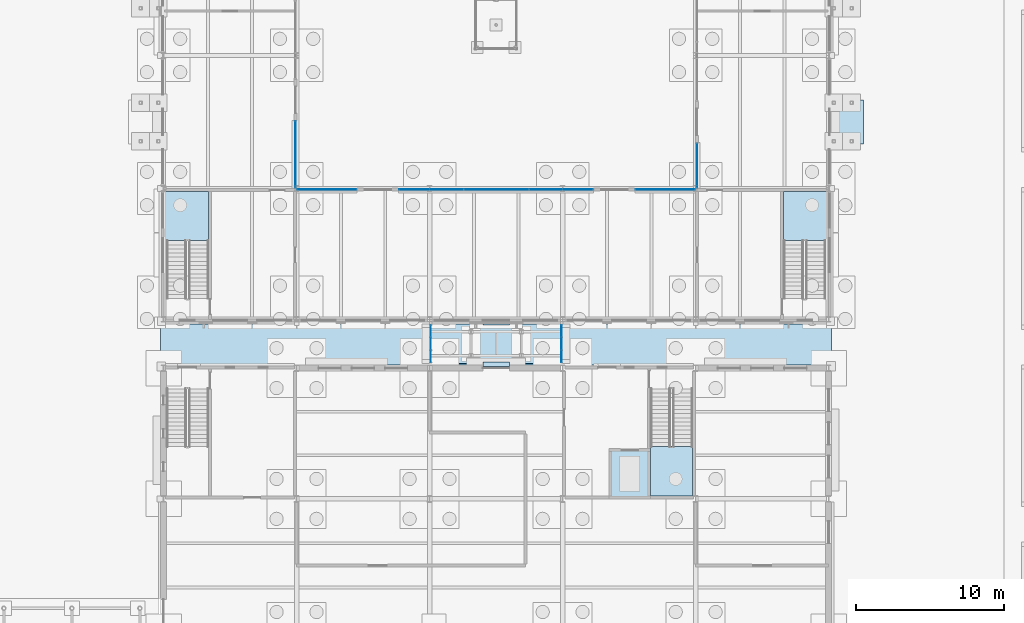
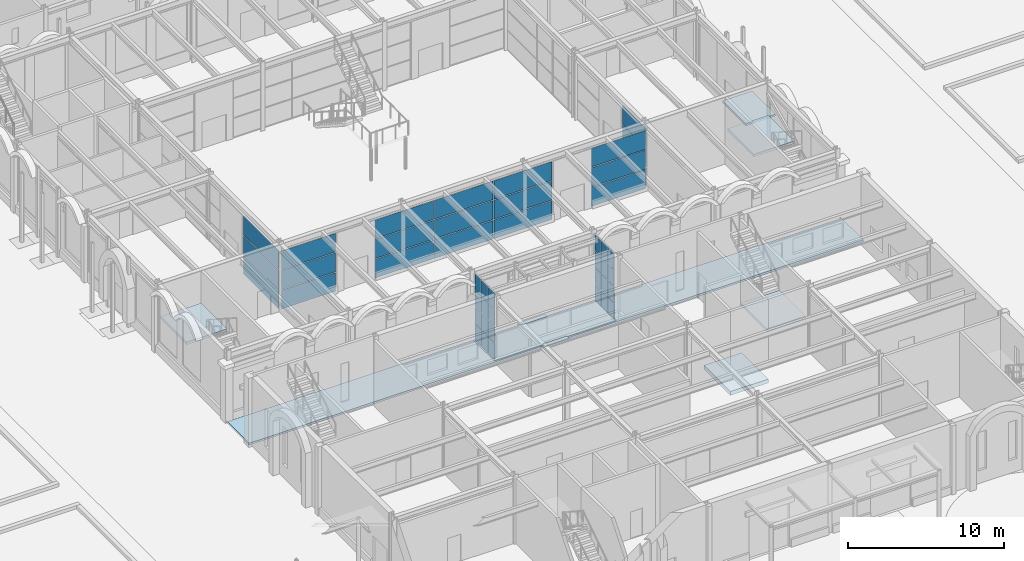
# One storey, part 60 of 126: 47 plates, 7 slabs, 10 elements without a shape of their own.
"""IFC4 building model written with IfcOpenShell, lengths in metres."""

from ifc_helpers import new_model, si_unit, direction, frame, origin, origin_2d, place, context, subcontext, project, spatial, polyline, rectangle, outline, extrude, material, layer, layer_set, type_object, element, aggregate, save


model = new_model("IFC4")

# Units and contexts
model_context = context("Model", 3, precision=1e-05, world=origin(), true_north=direction((0.0, 1.0)))
body_context = subcontext(model_context, "Body", "Model", "MODEL_VIEW")
ifc_project = project(units=[si_unit("LENGTHUNIT", "METRE"), si_unit("AREAUNIT", "SQUARE_METRE"), si_unit("VOLUMEUNIT", "CUBIC_METRE"), si_unit("PLANEANGLEUNIT", "RADIAN"), si_unit("MASSUNIT", "GRAM", prefix="KILO")], contexts=[model_context])

# Site, building, storey
site_placement = place(None, origin())
site = spatial("IfcSite", under=ifc_project, at=site_placement, CompositionType="ELEMENT")
building_placement = place(site_placement, origin())
building = spatial("IfcBuilding", under=site, at=building_placement, Name="Kallimachos Central Library", CompositionType="ELEMENT")
storey_placement = place(building_placement, origin())
storey = spatial("IfcBuildingStorey", under=building, at=storey_placement, Name="L00", CompositionType="ELEMENT", Elevation=0.0)

# Curtain wall, plates
ifc_material_1 = material(Name="Aluminium and laminated glass", Category="aluminium")
curtain_wall_type_1 = type_object("IfcCurtainWallType", Name="Atrium glazed screen", PredefinedType="NOTDEFINED", material=ifc_material_1)
curtain_wall_1_placement = place(storey_placement, origin())
curtain_wall_1 = element("IfcCurtainWall", 1, at=curtain_wall_1_placement, inside=storey, type_object=curtain_wall_type_1, Name="L00 atrium screen S", PredefinedType="NOTDEFINED")
ifc_material_2 = material(Name="Laminated glass", Category="glass")
ifc_layer_1 = layer(ifc_material_2, 0.028076171875)
ifc_layer_set_1 = layer_set([ifc_layer_1], Name="Atrium screen glass panel")
plate_type_1 = type_object("IfcPlateType", Name="Atrium screen glass panel", PredefinedType="CURTAIN_PANEL", material=ifc_layer_set_1)
plate_1_placement = place(storey_placement, frame((76.550048828125, 56.919921875, 0.06005859375), z_axis=(0.0, 0.0, 1.0), x_axis=(1.0, 0.0, 0.0)))
plate_1 = element("IfcPlate", 2, at=plate_1_placement, type_object=plate_type_1, Name="CW panel 1.1", PredefinedType="CURTAIN_PANEL", context=body_context, shape_type="SweptSolid", body=[
    extrude(rectangle(XDim=3.97998046875, YDim=0.028076171875, at=origin_2d()), origin(), (0.0, 0.0, 1.0), 1.4599609375),
])
plate_2_placement = place(storey_placement, frame((76.550048828125, 56.919921875, 1.580078125), z_axis=(0.0, 0.0, 1.0), x_axis=(1.0, 0.0, 0.0)))
plate_2 = element("IfcPlate", 3, at=plate_2_placement, type_object=plate_type_1, Name="CW panel 1.2", PredefinedType="CURTAIN_PANEL", context=body_context, shape_type="SweptSolid", body=[
    extrude(rectangle(XDim=3.97998046875, YDim=0.028076171875, at=origin_2d()), origin(), (0.0, 0.0, 1.0), 1.489990234375),
])
plate_3_placement = place(storey_placement, frame((76.550048828125, 56.919921875, 3.130126953125), z_axis=(0.0, 0.0, 1.0), x_axis=(1.0, 0.0, 0.0)))
plate_3 = element("IfcPlate", 4, at=plate_3_placement, type_object=plate_type_1, Name="CW panel 1.3", PredefinedType="CURTAIN_PANEL", context=body_context, shape_type="SweptSolid", body=[
    extrude(rectangle(XDim=3.97998046875, YDim=0.028076171875, at=origin_2d()), origin(), (0.0, 0.0, 1.0), 1.4599609375),
])
aggregate(curtain_wall_1, [plate_1, plate_2, plate_3])

curtain_wall_2_placement = place(storey_placement, origin())
curtain_wall_2 = element("IfcCurtainWall", 5, at=curtain_wall_2_placement, inside=storey, type_object=curtain_wall_type_1, Name="L00 atrium screen S", PredefinedType="NOTDEFINED")
plate_4_placement = place(storey_placement, frame((83.614990234375, 56.919921875, 0.06005859375), z_axis=(0.0, 0.0, 1.0), x_axis=(1.0, 0.0, 0.0)))
plate_4 = element("IfcPlate", 6, at=plate_4_placement, type_object=plate_type_1, Name="CW panel 1.1", PredefinedType="CURTAIN_PANEL", context=body_context, shape_type="SweptSolid", body=[
    extrude(rectangle(XDim=4.31005859375, YDim=0.028076171875, at=origin_2d()), origin(), (0.0, 0.0, 1.0), 1.4599609375),
])
plate_5_placement = place(storey_placement, frame((83.614990234375, 56.919921875, 1.580078125), z_axis=(0.0, 0.0, 1.0), x_axis=(1.0, 0.0, 0.0)))
plate_5 = element("IfcPlate", 7, at=plate_5_placement, type_object=plate_type_1, Name="CW panel 1.2", PredefinedType="CURTAIN_PANEL", context=body_context, shape_type="SweptSolid", body=[
    extrude(rectangle(XDim=4.31005859375, YDim=0.028076171875, at=origin_2d()), origin(), (0.0, 0.0, 1.0), 1.489990234375),
])
plate_6_placement = place(storey_placement, frame((83.614990234375, 56.919921875, 3.130126953125), z_axis=(0.0, 0.0, 1.0), x_axis=(1.0, 0.0, 0.0)))
plate_6 = element("IfcPlate", 8, at=plate_6_placement, type_object=plate_type_1, Name="CW panel 1.3", PredefinedType="CURTAIN_PANEL", context=body_context, shape_type="SweptSolid", body=[
    extrude(rectangle(XDim=4.31005859375, YDim=0.028076171875, at=origin_2d()), origin(), (0.0, 0.0, 1.0), 1.4599609375),
])
plate_7_placement = place(storey_placement, frame((88.0, 56.919921875, 0.06005859375), z_axis=(0.0, 0.0, 1.0), x_axis=(1.0, 0.0, 0.0)))
plate_7 = element("IfcPlate", 9, at=plate_7_placement, type_object=plate_type_1, Name="CW panel 2.1", PredefinedType="CURTAIN_PANEL", context=body_context, shape_type="SweptSolid", body=[
    extrude(rectangle(XDim=4.340087890625, YDim=0.028076171875, at=origin_2d()), origin(), (0.0, 0.0, 1.0), 1.4599609375),
])
plate_8_placement = place(storey_placement, frame((88.0, 56.919921875, 1.580078125), z_axis=(0.0, 0.0, 1.0), x_axis=(1.0, 0.0, 0.0)))
plate_8 = element("IfcPlate", 10, at=plate_8_placement, type_object=plate_type_1, Name="CW panel 2.2", PredefinedType="CURTAIN_PANEL", context=body_context, shape_type="SweptSolid", body=[
    extrude(rectangle(XDim=4.340087890625, YDim=0.028076171875, at=origin_2d()), origin(), (0.0, 0.0, 1.0), 1.489990234375),
])
plate_9_placement = place(storey_placement, frame((88.0, 56.919921875, 3.130126953125), z_axis=(0.0, 0.0, 1.0), x_axis=(1.0, 0.0, 0.0)))
plate_9 = element("IfcPlate", 11, at=plate_9_placement, type_object=plate_type_1, Name="CW panel 2.3", PredefinedType="CURTAIN_PANEL", context=body_context, shape_type="SweptSolid", body=[
    extrude(rectangle(XDim=4.340087890625, YDim=0.028076171875, at=origin_2d()), origin(), (0.0, 0.0, 1.0), 1.4599609375),
])
plate_10_placement = place(storey_placement, frame((92.385009765625, 56.919921875, 0.06005859375), z_axis=(0.0, 0.0, 1.0), x_axis=(1.0, 0.0, 0.0)))
plate_10 = element("IfcPlate", 12, at=plate_10_placement, type_object=plate_type_1, Name="CW panel 3.1", PredefinedType="CURTAIN_PANEL", context=body_context, shape_type="SweptSolid", body=[
    extrude(rectangle(XDim=4.31005859375, YDim=0.028076171875, at=origin_2d()), origin(), (0.0, 0.0, 1.0), 1.4599609375),
])
plate_11_placement = place(storey_placement, frame((92.385009765625, 56.919921875, 1.580078125), z_axis=(0.0, 0.0, 1.0), x_axis=(1.0, 0.0, 0.0)))
plate_11 = element("IfcPlate", 13, at=plate_11_placement, type_object=plate_type_1, Name="CW panel 3.2", PredefinedType="CURTAIN_PANEL", context=body_context, shape_type="SweptSolid", body=[
    extrude(rectangle(XDim=4.31005859375, YDim=0.028076171875, at=origin_2d()), origin(), (0.0, 0.0, 1.0), 1.489990234375),
])
plate_12_placement = place(storey_placement, frame((92.385009765625, 56.919921875, 3.130126953125), z_axis=(0.0, 0.0, 1.0), x_axis=(1.0, 0.0, 0.0)))
plate_12 = element("IfcPlate", 14, at=plate_12_placement, type_object=plate_type_1, Name="CW panel 3.3", PredefinedType="CURTAIN_PANEL", context=body_context, shape_type="SweptSolid", body=[
    extrude(rectangle(XDim=4.31005859375, YDim=0.028076171875, at=origin_2d()), origin(), (0.0, 0.0, 1.0), 1.4599609375),
])
aggregate(curtain_wall_2, [plate_4, plate_5, plate_6, plate_7, plate_8, plate_9, plate_10, plate_11, plate_12])

curtain_wall_3_placement = place(storey_placement, origin())
curtain_wall_3 = element("IfcCurtainWall", 15, at=curtain_wall_3_placement, inside=storey, type_object=curtain_wall_type_1, Name="L00 atrium screen S", PredefinedType="NOTDEFINED")
plate_13_placement = place(storey_placement, frame((99.449951171875, 56.919921875, 0.06005859375), z_axis=(0.0, 0.0, 1.0), x_axis=(1.0, 0.0, 0.0)))
plate_13 = element("IfcPlate", 16, at=plate_13_placement, type_object=plate_type_1, Name="CW panel 1.1", PredefinedType="CURTAIN_PANEL", context=body_context, shape_type="SweptSolid", body=[
    extrude(rectangle(XDim=3.97998046875, YDim=0.028076171875, at=origin_2d()), origin(), (0.0, 0.0, 1.0), 1.4599609375),
])
plate_14_placement = place(storey_placement, frame((99.449951171875, 56.919921875, 1.580078125), z_axis=(0.0, 0.0, 1.0), x_axis=(1.0, 0.0, 0.0)))
plate_14 = element("IfcPlate", 17, at=plate_14_placement, type_object=plate_type_1, Name="CW panel 1.2", PredefinedType="CURTAIN_PANEL", context=body_context, shape_type="SweptSolid", body=[
    extrude(rectangle(XDim=3.97998046875, YDim=0.028076171875, at=origin_2d()), origin(), (0.0, 0.0, 1.0), 1.489990234375),
])
plate_15_placement = place(storey_placement, frame((99.449951171875, 56.919921875, 3.130126953125), z_axis=(0.0, 0.0, 1.0), x_axis=(1.0, 0.0, 0.0)))
plate_15 = element("IfcPlate", 18, at=plate_15_placement, type_object=plate_type_1, Name="CW panel 1.3", PredefinedType="CURTAIN_PANEL", context=body_context, shape_type="SweptSolid", body=[
    extrude(rectangle(XDim=3.97998046875, YDim=0.028076171875, at=origin_2d()), origin(), (0.0, 0.0, 1.0), 1.4599609375),
])
aggregate(curtain_wall_3, [plate_13, plate_14, plate_15])

curtain_wall_4_placement = place(storey_placement, origin())
curtain_wall_4 = element("IfcCurtainWall", 19, at=curtain_wall_4_placement, inside=storey, type_object=curtain_wall_type_1, Name="L00 atrium screen W", PredefinedType="NOTDEFINED")
plate_16_placement = place(storey_placement, frame((74.419921875, 59.300048828125, 0.06005859375), z_axis=(0.0, 0.0, 1.0), x_axis=(0.0, 1.0, 0.0)))
plate_16 = element("IfcPlate", 20, at=plate_16_placement, type_object=plate_type_1, Name="CW panel 1.1", PredefinedType="CURTAIN_PANEL", context=body_context, shape_type="SweptSolid", body=[
    extrude(rectangle(XDim=4.47998046875, YDim=0.028076171875, at=origin_2d()), origin(), (0.0, 0.0, 1.0), 1.4599609375),
])
plate_17_placement = place(storey_placement, frame((74.419921875, 59.300048828125, 1.580078125), z_axis=(0.0, 0.0, 1.0), x_axis=(0.0, 1.0, 0.0)))
plate_17 = element("IfcPlate", 21, at=plate_17_placement, type_object=plate_type_1, Name="CW panel 1.2", PredefinedType="CURTAIN_PANEL", context=body_context, shape_type="SweptSolid", body=[
    extrude(rectangle(XDim=4.47998046875, YDim=0.028076171875, at=origin_2d()), origin(), (0.0, 0.0, 1.0), 1.489990234375),
])
plate_18_placement = place(storey_placement, frame((74.419921875, 59.300048828125, 3.130126953125), z_axis=(0.0, 0.0, 1.0), x_axis=(0.0, 1.0, 0.0)))
plate_18 = element("IfcPlate", 22, at=plate_18_placement, type_object=plate_type_1, Name="CW panel 1.3", PredefinedType="CURTAIN_PANEL", context=body_context, shape_type="SweptSolid", body=[
    extrude(rectangle(XDim=4.47998046875, YDim=0.028076171875, at=origin_2d()), origin(), (0.0, 0.0, 1.0), 1.4599609375),
])
aggregate(curtain_wall_4, [plate_16, plate_17, plate_18])

curtain_wall_5_placement = place(storey_placement, origin())
curtain_wall_5 = element("IfcCurtainWall", 23, at=curtain_wall_5_placement, inside=storey, type_object=curtain_wall_type_1, Name="L00 atrium screen E", PredefinedType="NOTDEFINED")
plate_19_placement = place(storey_placement, frame((101.580078125, 58.550048828125, 0.06005859375), z_axis=(0.0, 0.0, 1.0), x_axis=(0.0, 1.0, 0.0)))
plate_19 = element("IfcPlate", 24, at=plate_19_placement, type_object=plate_type_1, Name="CW panel 1.1", PredefinedType="CURTAIN_PANEL", context=body_context, shape_type="SweptSolid", body=[
    extrude(rectangle(XDim=2.97998046875, YDim=0.028076171875, at=origin_2d()), origin(), (0.0, 0.0, 1.0), 1.4599609375),
])
plate_20_placement = place(storey_placement, frame((101.580078125, 58.550048828125, 1.580078125), z_axis=(0.0, 0.0, 1.0), x_axis=(0.0, 1.0, 0.0)))
plate_20 = element("IfcPlate", 25, at=plate_20_placement, type_object=plate_type_1, Name="CW panel 1.2", PredefinedType="CURTAIN_PANEL", context=body_context, shape_type="SweptSolid", body=[
    extrude(rectangle(XDim=2.97998046875, YDim=0.028076171875, at=origin_2d()), origin(), (0.0, 0.0, 1.0), 1.489990234375),
])
plate_21_placement = place(storey_placement, frame((101.580078125, 58.550048828125, 3.130126953125), z_axis=(0.0, 0.0, 1.0), x_axis=(0.0, 1.0, 0.0)))
plate_21 = element("IfcPlate", 26, at=plate_21_placement, type_object=plate_type_1, Name="CW panel 1.3", PredefinedType="CURTAIN_PANEL", context=body_context, shape_type="SweptSolid", body=[
    extrude(rectangle(XDim=2.97998046875, YDim=0.028076171875, at=origin_2d()), origin(), (0.0, 0.0, 1.0), 1.4599609375),
])
aggregate(curtain_wall_5, [plate_19, plate_20, plate_21])

# Plates
ifc_material_3 = material(Name="Stainless steel plate", Category="steel")
ifc_layer_2 = layer(ifc_material_3, 0.011962890625)
ifc_layer_set_2 = layer_set([ifc_layer_2], Name="Joint cover plate")
plate_type_2 = type_object("IfcPlateType", Name="Joint cover plate", PredefinedType="SHEET", material=ifc_layer_set_2)
for number, where, z_axis, x_axis, name in (
    (27, (88.0, 45.10009765625, 0.0), (0.0, 0.0, 1.0), (1.0, 0.0, 0.0), "Stacks Link joint cover plate L00"),
    (28, (88.0, 47.9150390625, 0.0), (0.0, 0.0, 1.0), (1.0, 0.0, 0.0), "Stacks Link joint cover plate L00"),
):
    element("IfcPlate", number, at=place(storey_placement, frame(where, z_axis=z_axis, x_axis=x_axis)), inside=storey, type_object=plate_type_2, Name=name, PredefinedType="SHEET", context=body_context, shape_type="SweptSolid", body=[
        extrude(rectangle(XDim=1.780029296875, YDim=0.300048828125, at=origin_2d()), origin(), (0.0, 0.0, 1.0), 0.011962890625),
    ])

# Curtain wall, plates
ifc_material_4 = material(Name="Aluminium and laminated glass", Category="aluminium")
curtain_wall_type_2 = type_object("IfcCurtainWallType", Name="Link glazed wall", PredefinedType="NOTDEFINED", material=ifc_material_4)
curtain_wall_6_placement = place(storey_placement, origin())
curtain_wall_6 = element("IfcCurtainWall", 29, at=curtain_wall_6_placement, inside=storey, type_object=curtain_wall_type_2, Name="Stacks Link glazed wall L00", PredefinedType="NOTDEFINED")
ifc_material_5 = material(Name="Laminated glass", Category="glass")
ifc_layer_3 = layer(ifc_material_5, 0.028076171875)
ifc_layer_set_3 = layer_set([ifc_layer_3], Name="Laminated glass panel 28")
plate_type_3 = type_object("IfcPlateType", Name="Laminated glass panel 28", PredefinedType="CURTAIN_PANEL", material=ifc_layer_set_3)
plate_22_placement = place(storey_placement, frame((83.580078125, 45.6484375, 0.06005859375), z_axis=(0.0, 0.0, 1.0), x_axis=(0.0, 1.0, 0.0)))
plate_22 = element("IfcPlate", 30, at=plate_22_placement, type_object=plate_type_3, Name="CW58 panel 1.1", PredefinedType="CURTAIN_PANEL", context=body_context, shape_type="SweptSolid", body=[
    extrude(rectangle(XDim=0.776611328125, YDim=0.028076171875, at=origin_2d()), origin(), (0.0, 0.0, 1.0), 1.222412109375),
])
plate_23_placement = place(storey_placement, frame((83.580078125, 45.6484375, 1.342529296875), z_axis=(0.0, 0.0, 1.0), x_axis=(0.0, 1.0, 0.0)))
plate_23 = element("IfcPlate", 31, at=plate_23_placement, type_object=plate_type_3, Name="CW58 panel 1.2", PredefinedType="CURTAIN_PANEL", context=body_context, shape_type="SweptSolid", body=[
    extrude(rectangle(XDim=0.776611328125, YDim=0.028076171875, at=origin_2d()), origin(), (0.0, 0.0, 1.0), 1.25244140625),
])
plate_24_placement = place(storey_placement, frame((83.580078125, 45.6484375, 2.655029296875), z_axis=(0.0, 0.0, 1.0), x_axis=(0.0, 1.0, 0.0)))
plate_24 = element("IfcPlate", 32, at=plate_24_placement, type_object=plate_type_3, Name="CW58 panel 1.3", PredefinedType="CURTAIN_PANEL", context=body_context, shape_type="SweptSolid", body=[
    extrude(rectangle(XDim=0.776611328125, YDim=0.028076171875, at=origin_2d()), origin(), (0.0, 0.0, 1.0), 1.25244140625),
])
plate_25_placement = place(storey_placement, frame((83.580078125, 45.6484375, 3.9677734375), z_axis=(0.0, 0.0, 1.0), x_axis=(0.0, 1.0, 0.0)))
plate_25 = element("IfcPlate", 33, at=plate_25_placement, type_object=plate_type_3, Name="CW58 panel 1.4", PredefinedType="CURTAIN_PANEL", context=body_context, shape_type="SweptSolid", body=[
    extrude(rectangle(XDim=0.776611328125, YDim=0.028076171875, at=origin_2d()), origin(), (0.0, 0.0, 1.0), 1.222412109375),
])
plate_26_placement = place(storey_placement, frame((83.580078125, 46.5, 0.06005859375), z_axis=(0.0, 0.0, 1.0), x_axis=(0.0, 1.0, 0.0)))
plate_26 = element("IfcPlate", 34, at=plate_26_placement, type_object=plate_type_3, Name="CW58 panel 2.1", PredefinedType="CURTAIN_PANEL", context=body_context, shape_type="SweptSolid", body=[
    extrude(rectangle(XDim=0.806640625, YDim=0.028076171875, at=origin_2d()), origin(), (0.0, 0.0, 1.0), 1.222412109375),
])
plate_27_placement = place(storey_placement, frame((83.580078125, 46.5, 1.342529296875), z_axis=(0.0, 0.0, 1.0), x_axis=(0.0, 1.0, 0.0)))
plate_27 = element("IfcPlate", 35, at=plate_27_placement, type_object=plate_type_3, Name="CW58 panel 2.2", PredefinedType="CURTAIN_PANEL", context=body_context, shape_type="SweptSolid", body=[
    extrude(rectangle(XDim=0.806640625, YDim=0.028076171875, at=origin_2d()), origin(), (0.0, 0.0, 1.0), 1.25244140625),
])
plate_28_placement = place(storey_placement, frame((83.580078125, 46.5, 2.655029296875), z_axis=(0.0, 0.0, 1.0), x_axis=(0.0, 1.0, 0.0)))
plate_28 = element("IfcPlate", 36, at=plate_28_placement, type_object=plate_type_3, Name="CW58 panel 2.3", PredefinedType="CURTAIN_PANEL", context=body_context, shape_type="SweptSolid", body=[
    extrude(rectangle(XDim=0.806640625, YDim=0.028076171875, at=origin_2d()), origin(), (0.0, 0.0, 1.0), 1.25244140625),
])
plate_29_placement = place(storey_placement, frame((83.580078125, 46.5, 3.9677734375), z_axis=(0.0, 0.0, 1.0), x_axis=(0.0, 1.0, 0.0)))
plate_29 = element("IfcPlate", 37, at=plate_29_placement, type_object=plate_type_3, Name="CW58 panel 2.4", PredefinedType="CURTAIN_PANEL", context=body_context, shape_type="SweptSolid", body=[
    extrude(rectangle(XDim=0.806640625, YDim=0.028076171875, at=origin_2d()), origin(), (0.0, 0.0, 1.0), 1.222412109375),
])
plate_30_placement = place(storey_placement, frame((83.580078125, 47.3515625, 0.06005859375), z_axis=(0.0, 0.0, 1.0), x_axis=(0.0, 1.0, 0.0)))
plate_30 = element("IfcPlate", 38, at=plate_30_placement, type_object=plate_type_3, Name="CW58 panel 3.1", PredefinedType="CURTAIN_PANEL", context=body_context, shape_type="SweptSolid", body=[
    extrude(rectangle(XDim=0.776611328125, YDim=0.028076171875, at=origin_2d()), origin(), (0.0, 0.0, 1.0), 1.222412109375),
])
plate_31_placement = place(storey_placement, frame((83.580078125, 47.3515625, 1.342529296875), z_axis=(0.0, 0.0, 1.0), x_axis=(0.0, 1.0, 0.0)))
plate_31 = element("IfcPlate", 39, at=plate_31_placement, type_object=plate_type_3, Name="CW58 panel 3.2", PredefinedType="CURTAIN_PANEL", context=body_context, shape_type="SweptSolid", body=[
    extrude(rectangle(XDim=0.776611328125, YDim=0.028076171875, at=origin_2d()), origin(), (0.0, 0.0, 1.0), 1.25244140625),
])
plate_32_placement = place(storey_placement, frame((83.580078125, 47.3515625, 2.655029296875), z_axis=(0.0, 0.0, 1.0), x_axis=(0.0, 1.0, 0.0)))
plate_32 = element("IfcPlate", 40, at=plate_32_placement, type_object=plate_type_3, Name="CW58 panel 3.3", PredefinedType="CURTAIN_PANEL", context=body_context, shape_type="SweptSolid", body=[
    extrude(rectangle(XDim=0.776611328125, YDim=0.028076171875, at=origin_2d()), origin(), (0.0, 0.0, 1.0), 1.25244140625),
])
plate_33_placement = place(storey_placement, frame((83.580078125, 47.3515625, 3.9677734375), z_axis=(0.0, 0.0, 1.0), x_axis=(0.0, 1.0, 0.0)))
plate_33 = element("IfcPlate", 41, at=plate_33_placement, type_object=plate_type_3, Name="CW58 panel 3.4", PredefinedType="CURTAIN_PANEL", context=body_context, shape_type="SweptSolid", body=[
    extrude(rectangle(XDim=0.776611328125, YDim=0.028076171875, at=origin_2d()), origin(), (0.0, 0.0, 1.0), 1.222412109375),
])
aggregate(curtain_wall_6, [plate_22, plate_23, plate_24, plate_25, plate_26, plate_27, plate_28, plate_29, plate_30, plate_31, plate_32, plate_33])

curtain_wall_7_placement = place(storey_placement, origin())
curtain_wall_7 = element("IfcCurtainWall", 42, at=curtain_wall_7_placement, inside=storey, type_object=curtain_wall_type_2, Name="Stacks Link glazed wall L00", PredefinedType="NOTDEFINED")
plate_34_placement = place(storey_placement, frame((92.419921875, 45.6484375, 0.06005859375), z_axis=(0.0, 0.0, 1.0), x_axis=(0.0, 1.0, 0.0)))
plate_34 = element("IfcPlate", 43, at=plate_34_placement, type_object=plate_type_3, Name="CW59 panel 1.1", PredefinedType="CURTAIN_PANEL", context=body_context, shape_type="SweptSolid", body=[
    extrude(rectangle(XDim=0.776611328125, YDim=0.028076171875, at=origin_2d()), origin(), (0.0, 0.0, 1.0), 1.222412109375),
])
plate_35_placement = place(storey_placement, frame((92.419921875, 45.6484375, 1.342529296875), z_axis=(0.0, 0.0, 1.0), x_axis=(0.0, 1.0, 0.0)))
plate_35 = element("IfcPlate", 44, at=plate_35_placement, type_object=plate_type_3, Name="CW59 panel 1.2", PredefinedType="CURTAIN_PANEL", context=body_context, shape_type="SweptSolid", body=[
    extrude(rectangle(XDim=0.776611328125, YDim=0.028076171875, at=origin_2d()), origin(), (0.0, 0.0, 1.0), 1.25244140625),
])
plate_36_placement = place(storey_placement, frame((92.419921875, 45.6484375, 2.655029296875), z_axis=(0.0, 0.0, 1.0), x_axis=(0.0, 1.0, 0.0)))
plate_36 = element("IfcPlate", 45, at=plate_36_placement, type_object=plate_type_3, Name="CW59 panel 1.3", PredefinedType="CURTAIN_PANEL", context=body_context, shape_type="SweptSolid", body=[
    extrude(rectangle(XDim=0.776611328125, YDim=0.028076171875, at=origin_2d()), origin(), (0.0, 0.0, 1.0), 1.25244140625),
])
plate_37_placement = place(storey_placement, frame((92.419921875, 45.6484375, 3.9677734375), z_axis=(0.0, 0.0, 1.0), x_axis=(0.0, 1.0, 0.0)))
plate_37 = element("IfcPlate", 46, at=plate_37_placement, type_object=plate_type_3, Name="CW59 panel 1.4", PredefinedType="CURTAIN_PANEL", context=body_context, shape_type="SweptSolid", body=[
    extrude(rectangle(XDim=0.776611328125, YDim=0.028076171875, at=origin_2d()), origin(), (0.0, 0.0, 1.0), 1.222412109375),
])
plate_38_placement = place(storey_placement, frame((92.419921875, 46.5, 0.06005859375), z_axis=(0.0, 0.0, 1.0), x_axis=(0.0, 1.0, 0.0)))
plate_38 = element("IfcPlate", 47, at=plate_38_placement, type_object=plate_type_3, Name="CW59 panel 2.1", PredefinedType="CURTAIN_PANEL", context=body_context, shape_type="SweptSolid", body=[
    extrude(rectangle(XDim=0.806640625, YDim=0.028076171875, at=origin_2d()), origin(), (0.0, 0.0, 1.0), 1.222412109375),
])
plate_39_placement = place(storey_placement, frame((92.419921875, 46.5, 1.342529296875), z_axis=(0.0, 0.0, 1.0), x_axis=(0.0, 1.0, 0.0)))
plate_39 = element("IfcPlate", 48, at=plate_39_placement, type_object=plate_type_3, Name="CW59 panel 2.2", PredefinedType="CURTAIN_PANEL", context=body_context, shape_type="SweptSolid", body=[
    extrude(rectangle(XDim=0.806640625, YDim=0.028076171875, at=origin_2d()), origin(), (0.0, 0.0, 1.0), 1.25244140625),
])
plate_40_placement = place(storey_placement, frame((92.419921875, 46.5, 2.655029296875), z_axis=(0.0, 0.0, 1.0), x_axis=(0.0, 1.0, 0.0)))
plate_40 = element("IfcPlate", 49, at=plate_40_placement, type_object=plate_type_3, Name="CW59 panel 2.3", PredefinedType="CURTAIN_PANEL", context=body_context, shape_type="SweptSolid", body=[
    extrude(rectangle(XDim=0.806640625, YDim=0.028076171875, at=origin_2d()), origin(), (0.0, 0.0, 1.0), 1.25244140625),
])
plate_41_placement = place(storey_placement, frame((92.419921875, 46.5, 3.9677734375), z_axis=(0.0, 0.0, 1.0), x_axis=(0.0, 1.0, 0.0)))
plate_41 = element("IfcPlate", 50, at=plate_41_placement, type_object=plate_type_3, Name="CW59 panel 2.4", PredefinedType="CURTAIN_PANEL", context=body_context, shape_type="SweptSolid", body=[
    extrude(rectangle(XDim=0.806640625, YDim=0.028076171875, at=origin_2d()), origin(), (0.0, 0.0, 1.0), 1.222412109375),
])
plate_42_placement = place(storey_placement, frame((92.419921875, 47.3515625, 0.06005859375), z_axis=(0.0, 0.0, 1.0), x_axis=(0.0, 1.0, 0.0)))
plate_42 = element("IfcPlate", 51, at=plate_42_placement, type_object=plate_type_3, Name="CW59 panel 3.1", PredefinedType="CURTAIN_PANEL", context=body_context, shape_type="SweptSolid", body=[
    extrude(rectangle(XDim=0.776611328125, YDim=0.028076171875, at=origin_2d()), origin(), (0.0, 0.0, 1.0), 1.222412109375),
])
plate_43_placement = place(storey_placement, frame((92.419921875, 47.3515625, 1.342529296875), z_axis=(0.0, 0.0, 1.0), x_axis=(0.0, 1.0, 0.0)))
plate_43 = element("IfcPlate", 52, at=plate_43_placement, type_object=plate_type_3, Name="CW59 panel 3.2", PredefinedType="CURTAIN_PANEL", context=body_context, shape_type="SweptSolid", body=[
    extrude(rectangle(XDim=0.776611328125, YDim=0.028076171875, at=origin_2d()), origin(), (0.0, 0.0, 1.0), 1.25244140625),
])
plate_44_placement = place(storey_placement, frame((92.419921875, 47.3515625, 2.655029296875), z_axis=(0.0, 0.0, 1.0), x_axis=(0.0, 1.0, 0.0)))
plate_44 = element("IfcPlate", 53, at=plate_44_placement, type_object=plate_type_3, Name="CW59 panel 3.3", PredefinedType="CURTAIN_PANEL", context=body_context, shape_type="SweptSolid", body=[
    extrude(rectangle(XDim=0.776611328125, YDim=0.028076171875, at=origin_2d()), origin(), (0.0, 0.0, 1.0), 1.25244140625),
])
plate_45_placement = place(storey_placement, frame((92.419921875, 47.3515625, 3.9677734375), z_axis=(0.0, 0.0, 1.0), x_axis=(0.0, 1.0, 0.0)))
plate_45 = element("IfcPlate", 54, at=plate_45_placement, type_object=plate_type_3, Name="CW59 panel 3.4", PredefinedType="CURTAIN_PANEL", context=body_context, shape_type="SweptSolid", body=[
    extrude(rectangle(XDim=0.776611328125, YDim=0.028076171875, at=origin_2d()), origin(), (0.0, 0.0, 1.0), 1.222412109375),
])
aggregate(curtain_wall_7, [plate_34, plate_35, plate_36, plate_37, plate_38, plate_39, plate_40, plate_41, plate_42, plate_43, plate_44, plate_45])

# Slabs
ifc_material_6 = material(Name="Concrete C30/37", Category="concrete")
ifc_layer_4 = layer(ifc_material_6, 0.300048828125)
ifc_layer_set_4 = layer_set([ifc_layer_4], Name="Lift pit slab 300")
slab_type_1 = type_object("IfcSlabType", Name="Lift pit slab 300", PredefinedType="BASESLAB", material=ifc_layer_set_4)
slab_1_placement = place(storey_placement, frame((0.0, 0.0, -1.39990234375)))
element("IfcSlab", 55, at=slab_1_placement, inside=storey, type_object=slab_type_1, Name="V5-SLB-L00-002", PredefinedType="BASESLAB", context=body_context, shape_type="SweptSolid", body=[
    extrude(outline(polyline([(95.64990234375, 36.0), (98.449951171875, 36.0), (98.449951171875, 39.39990234375), (95.64990234375, 39.39990234375), (95.64990234375, 36.0)])), origin(), (0.0, 0.0, 1.0), 0.2998046875),
])
ifc_material_7 = material(Name="Concrete C30/37", Category="concrete")
ifc_layer_5 = layer(ifc_material_7, 0.199951171875)
ifc_layer_set_5 = layer_set([ifc_layer_5], Name="Link ground slab 200")
slab_type_2 = type_object("IfcSlabType", Name="Link ground slab 200", PredefinedType="BASESLAB", material=ifc_layer_set_5)
slab_2_placement = place(storey_placement, frame((0.0, 0.0, -0.199951171875)))
element("IfcSlab", 56, at=slab_2_placement, inside=storey, type_object=slab_type_2, Name="Stacks Link ground slab", PredefinedType="BASESLAB", context=body_context, shape_type="SweptSolid", body=[
    extrude(outline(polyline([(83.5, 45.14990234375), (92.5, 45.14990234375), (92.5, 47.85009765625), (83.5, 47.85009765625), (83.5, 45.14990234375)])), origin(), (0.0, 0.0, 1.0), 0.199951171875),
])
ifc_material_8 = material(Name="Concrete C30/37", Category="concrete")
ifc_layer_6 = layer(ifc_material_8, 0.14990234375)
ifc_layer_set_6 = layer_set([ifc_layer_6], Name="Paving slab 150")
slab_type_3 = type_object("IfcSlabType", Name="Paving slab 150", PredefinedType="BASESLAB", material=ifc_layer_set_6)
slab_3_placement = place(storey_placement, frame((0.0, 0.0, -0.14990234375)))
element("IfcSlab", 57, at=slab_3_placement, inside=storey, type_object=slab_type_3, Name="Joint Strip 1", PredefinedType="BASESLAB", context=body_context, shape_type="SweptSolid", body=[
    extrude(outline(polyline([(110.699951171875, 48.0), (110.699951171875, 45.050048828125), (65.300048828125, 45.050048828125), (65.300048828125, 48.0), (65.35009765625, 48.0), (65.35009765625, 47.85009765625), (83.5, 47.85009765625), (83.5, 45.14990234375), (92.5, 45.14990234375), (92.5, 47.85009765625), (110.64990234375, 47.85009765625), (110.64990234375, 48.0), (110.699951171875, 48.0)])), origin(), (0.0, 0.0, 1.0), 0.14990234375),
])
slab_4_placement = place(storey_placement, frame((0.0, 0.0, -0.14990234375)))
element("IfcSlab", 58, at=slab_4_placement, inside=storey, type_object=slab_type_3, Name="Door Apron V4-DOR-L00-011", PredefinedType="BASESLAB", context=body_context, shape_type="SweptSolid", body=[
    extrude(outline(polyline([(112.85009765625, 63.0), (112.85009765625, 60.0), (110.64990234375, 60.0), (110.64990234375, 63.0), (112.85009765625, 63.0)])), origin(), (0.0, 0.0, 1.0), 0.14990234375),
])

# Stair, slab
ifc_material_9 = material(Name="Concrete C30/37", Category="concrete")
stair_type_1 = type_object("IfcStairType", Name="Escape stair", PredefinedType="HALF_TURN_STAIR", material=ifc_material_9)
stair_1_placement = place(storey_placement, origin())
stair_1 = element("IfcStair", 59, at=stair_1_placement, inside=storey, type_object=stair_type_1, Name="L00 stair ST11", PredefinedType="HALF_TURN_STAIR")
ifc_material_10 = material(Name="Concrete C30/37", Category="concrete")
ifc_layer_7 = layer(ifc_material_10, 0.199951171875)
ifc_layer_set_7 = layer_set([ifc_layer_7], Name="Stair landing")
slab_type_4 = type_object("IfcSlabType", Name="Stair landing", PredefinedType="LANDING", material=ifc_layer_set_7)
slab_5_placement = place(storey_placement, frame((0.0, 0.0, 2.5)))
slab_5 = element("IfcSlab", 60, at=slab_5_placement, type_object=slab_type_4, Name="ST11 landing 1", PredefinedType="LANDING", context=body_context, shape_type="SweptSolid", body=[
    extrude(outline(polyline([(65.550048828125, 53.469970703125), (68.550048828125, 53.469970703125), (68.550048828125, 56.800048828125), (65.550048828125, 56.800048828125), (65.550048828125, 53.469970703125)])), origin(), (0.0, 0.0, 1.0), 0.199951171875),
])
aggregate(stair_1, [slab_5])

stair_2_placement = place(storey_placement, origin())
stair_2 = element("IfcStair", 61, at=stair_2_placement, inside=storey, type_object=stair_type_1, Name="L00 stair ST12", PredefinedType="HALF_TURN_STAIR")
slab_6_placement = place(storey_placement, frame((0.0, 0.0, 2.5)))
slab_6 = element("IfcSlab", 62, at=slab_6_placement, type_object=slab_type_4, Name="ST12 landing 1", PredefinedType="LANDING", context=body_context, shape_type="SweptSolid", body=[
    extrude(outline(polyline([(107.449951171875, 53.469970703125), (110.449951171875, 53.469970703125), (110.449951171875, 56.800048828125), (107.449951171875, 56.800048828125), (107.449951171875, 53.469970703125)])), origin(), (0.0, 0.0, 1.0), 0.199951171875),
])
aggregate(stair_2, [slab_6])

ifc_material_11 = material(Name="Concrete C30/37", Category="concrete")
stair_type_2 = type_object("IfcStairType", Name="Concrete stair 1350", PredefinedType="HALF_TURN_STAIR", material=ifc_material_11)
stair_3_placement = place(storey_placement, origin())
stair_3 = element("IfcStair", 63, at=stair_3_placement, inside=storey, type_object=stair_type_2, Name="L00 stair ST14", PredefinedType="HALF_TURN_STAIR")
ifc_material_12 = material(Name="Concrete C30/37", Category="concrete")
ifc_layer_8 = layer(ifc_material_12, 0.199951171875)
ifc_layer_set_8 = layer_set([ifc_layer_8], Name="Stair landing slab 200")
slab_type_5 = type_object("IfcSlabType", Name="Stair landing slab 200", PredefinedType="LANDING", material=ifc_layer_set_8)
slab_7_placement = place(storey_placement, frame((0.0, 0.0, 2.5)))
slab_7 = element("IfcSlab", 64, at=slab_7_placement, type_object=slab_type_5, Name="ST14 landing 1", PredefinedType="LANDING", context=body_context, shape_type="SweptSolid", body=[
    extrude(outline(polyline([(98.449951171875, 39.530029296875), (98.449951171875, 36.199951171875), (101.300048828125, 36.199951171875), (101.300048828125, 39.530029296875), (98.449951171875, 39.530029296875)])), origin(), (0.0, 0.0, 1.0), 0.199951171875),
])
aggregate(stair_3, [slab_7])

save(model, "model.ifc")
